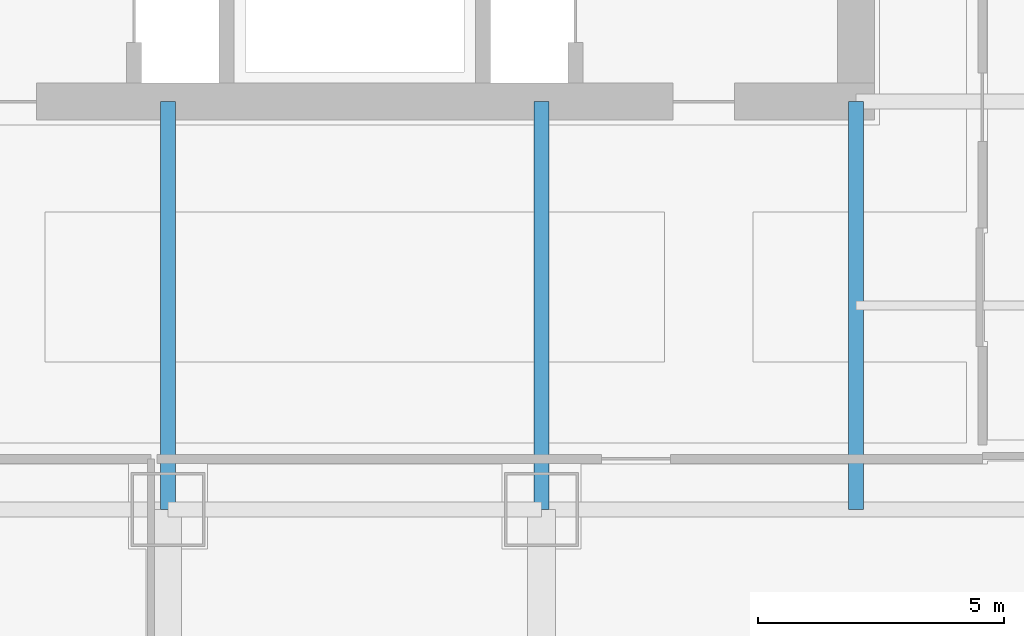
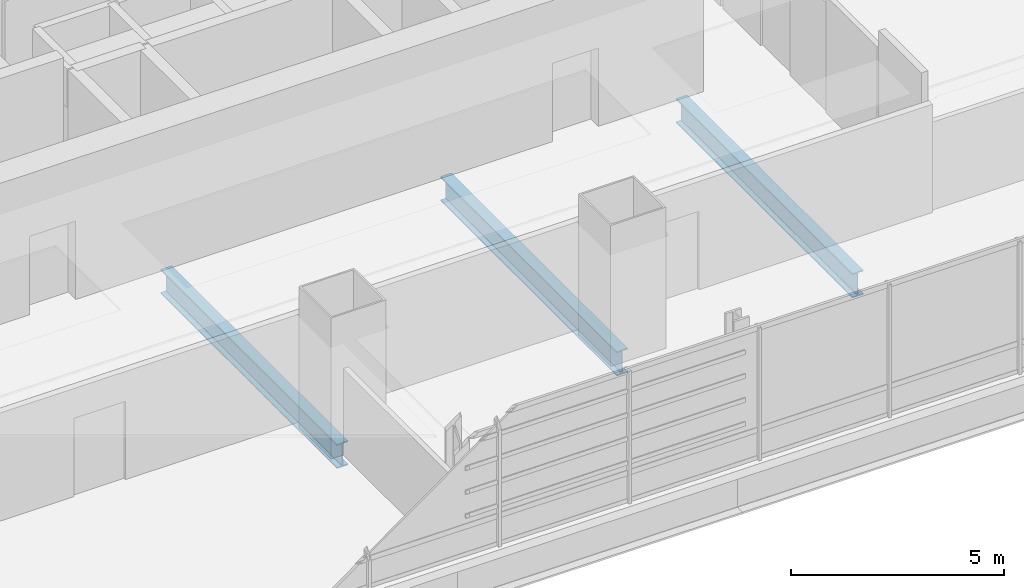
# One storey, part 7 of 35: 3 beams.
"""IFC4 building model written with IfcOpenShell, lengths in metres."""

from ifc_helpers import new_model, si_unit, direction, frame, origin, origin_2d, place, context, subcontext, project, spatial, i_section, extrude, material, material_profile, profile_set, type_object, element, save


model = new_model("IFC4")

# Units and contexts
model_context = context("Model", 3, precision=1e-05, world=origin(), true_north=direction((0.0, 1.0)))
body_context = subcontext(model_context, "Body", "Model", "MODEL_VIEW")
ifc_project = project(units=[si_unit("LENGTHUNIT", "METRE"), si_unit("AREAUNIT", "SQUARE_METRE"), si_unit("VOLUMEUNIT", "CUBIC_METRE"), si_unit("PLANEANGLEUNIT", "RADIAN"), si_unit("MASSUNIT", "GRAM", prefix="KILO")], contexts=[model_context])

# Site, building, storey
site_placement = place(None, origin())
site = spatial("IfcSite", under=ifc_project, at=site_placement, CompositionType="ELEMENT")
building_placement = place(site_placement, origin())
building = spatial("IfcBuilding", under=site, at=building_placement, Name="Punatoya Terracotta Tower", CompositionType="ELEMENT")
storey_placement = place(building_placement, frame((0.0, 0.0, 64.64990234375)))
storey = spatial("IfcBuildingStorey", under=building, at=storey_placement, Name="L14", CompositionType="ELEMENT", Elevation=64.64990234375)

# Beams
ifc_material = material(Name="Steel S355", Category="steel")
ifc_material_profile = material_profile(ifc_material, i_section(OverallWidth=0.300048828125, OverallDepth=0.699951171875, WebThickness=0.01708984375, FlangeThickness=0.031982421875, FilletRadius=0.01806640625, at=origin_2d()))
ifc_profile_set = profile_set([ifc_material_profile], Name="Steel S355")
beam_type = type_object("IfcBeamType", Name="BM-PRI-700", PredefinedType="BEAM", material=ifc_profile_set)
for number, where, z_axis, x_axis, name in (
    (1, (-3.800048828125, -17.5, -0.58984375), (0.0, 1.0, 0.0), (-1.0, 0.0, 0.0), "BM-L14-PR-S2"),
    (2, (3.800048828125, -17.5, -0.58984375), (0.0, 1.0, 0.0), (-1.0, 0.0, 0.0), "BM-L14-PR-S3"),
    (3, (10.199951171875, -17.5, -0.58984375), (0.0, 1.0, 0.0), (-1.0, 0.0, 0.0), "BM-L14-PR-S4"),
):
    element("IfcBeam", number, at=place(storey_placement, frame(where, z_axis=z_axis, x_axis=x_axis)), inside=storey, type_object=beam_type, Name=name, PredefinedType="BEAM", context=body_context, shape_type="SweptSolid", body=[
        extrude(i_section(OverallWidth=0.300048828125, OverallDepth=0.699951171875, WebThickness=0.01708984375, FlangeThickness=0.031982421875, FilletRadius=0.01806640625, at=origin_2d()), origin(), (0.0, 0.0, 1.0), 8.300048828125),
    ])

save(model, "model.ifc")
